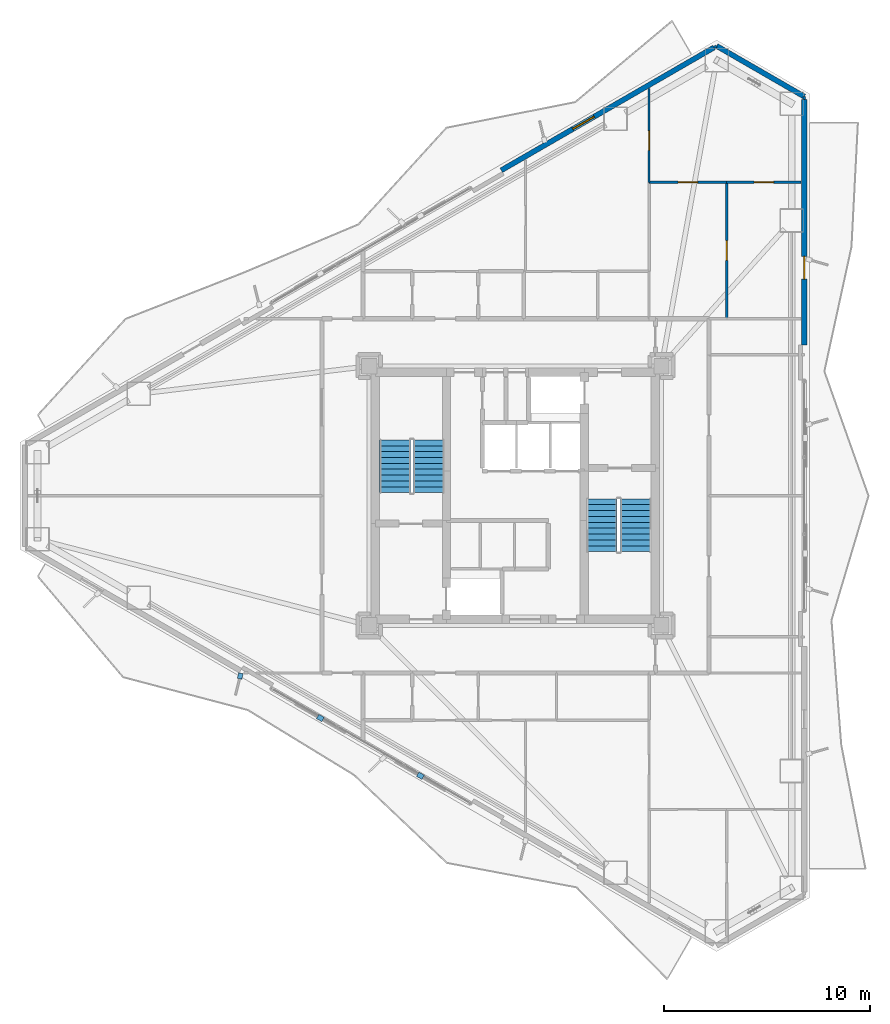
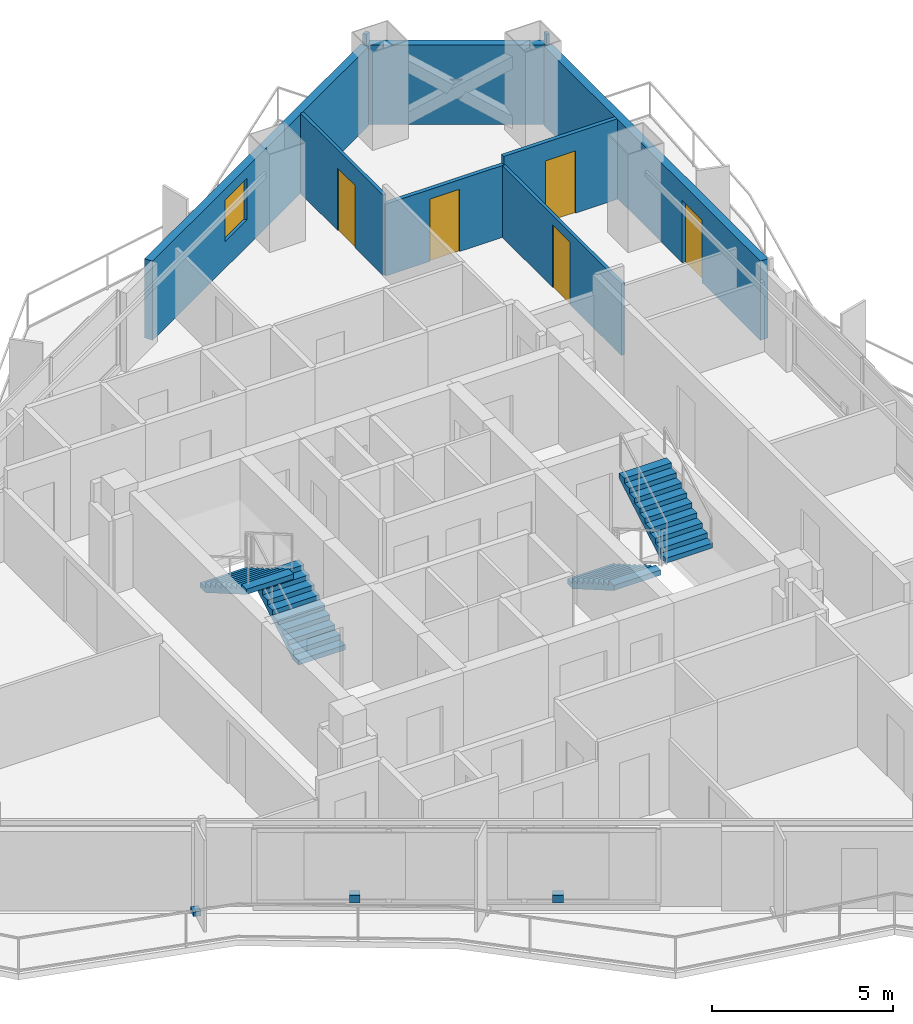
# One storey, part 19 of 22: 9 walls, 5 doors, 4 stair flights, 3 discrete accessories, 1 window, 6 openings, 2 elements without a shape of their own.
"""IFC4 building model written with IfcOpenShell, lengths in metres."""

from ifc_helpers import new_model, si_unit, direction, frame, frame_2d, origin, origin_2d, place, context, subcontext, project, spatial, polyline, rectangle, outline, extrude, material, layer, layer_set, type_object, element, fill, aggregate, save


model = new_model("IFC4")

# Units and contexts
model_context = context("Model", 3, precision=1e-05, world=origin(), true_north=direction((0.0, 1.0)))
body_context = subcontext(model_context, "Body", "Model", "MODEL_VIEW")
ifc_project = project(units=[si_unit("LENGTHUNIT", "METRE"), si_unit("AREAUNIT", "SQUARE_METRE"), si_unit("VOLUMEUNIT", "CUBIC_METRE"), si_unit("PLANEANGLEUNIT", "RADIAN"), si_unit("MASSUNIT", "GRAM", prefix="KILO")], contexts=[model_context])

# Site, building, storey
site_placement = place(None, origin())
site = spatial("IfcSite", under=ifc_project, at=site_placement, CompositionType="ELEMENT")
building_placement = place(site_placement, origin())
building = spatial("IfcBuilding", under=site, at=building_placement, Name="Mersakhor Tower and Convention Hall", CompositionType="ELEMENT")
storey_placement = place(building_placement, frame((0.0, 0.0, 109.800048828125)))
storey = spatial("IfcBuildingStorey", under=building, at=storey_placement, Name="L30", CompositionType="ELEMENT", Elevation=109.800048828125)

# Wall
ifc_material_1 = material(Name="Precast concrete C40/50", Category="concrete")
ifc_layer_1 = layer(ifc_material_1, 0.25)
ifc_layer_set_1 = layer_set([ifc_layer_1], Name="Precast concrete C40/50")
wall_type_1 = type_object("IfcWallType", Name="WL-EXT-250", PredefinedType="SOLIDWALL", material=ifc_layer_set_1)
wall_1_placement = place(storey_placement, frame((38.77880859375, 48.6015625, 0.0), z_axis=(0.0, 0.0, 1.0), x_axis=(0.866011848704, -0.500023477353, 0.0)))
element("IfcWall", 1, at=wall_1_placement, inside=storey, type_object=wall_type_1, Name="L30 Chamfer Braced Spandrel Wall C1", PredefinedType="SOLIDWALL", context=body_context, shape_type="SweptSolid", body=[
    extrude(rectangle(XDim=4.914306640625, YDim=0.25, at=frame_2d((2.45703125, 0.0))), origin(), (0.0, 0.0, 1.0), 2.669921875),
])

# Wall, opening, window
wall_2_placement = place(storey_placement, frame((28.3173828125, 42.561767578125, 0.0), z_axis=(0.0, 0.0, 1.0), x_axis=(0.866023023012, 0.500004123596, 0.0)))
wall_2 = element("IfcWall", 2, at=wall_2_placement, inside=storey, type_object=wall_type_1, Name="L30 Exterior Facade Wall F1-B3", PredefinedType="SOLIDWALL", context=body_context, shape_type="SweptSolid", body=[
    extrude(rectangle(XDim=11.9296875, YDim=0.25, at=frame_2d((5.96484375, 0.0))), origin(), (0.0, 0.0, 1.0), 2.669921875),
])
opening_1_placement = place(wall_2_placement, frame((4.010986328125, 0.0, 0.89990234375)))
opening_1 = element("IfcOpeningElement", 3, at=opening_1_placement, cuts=wall_2, Name="Opening W-01", PredefinedType="OPENING", context=body_context, shape_type="SweptSolid", body=[
    extrude(rectangle(XDim=1.199951171875, YDim=1.39990234375, at=frame_2d((0.60009765625, 0.699951171875))), frame((0.0, 0.135009765625, 0.0), z_axis=(0.0, -1.0, 0.0), x_axis=(1.0, 0.0, 0.0)), (0.0, 0.0, 1.0), 0.27001953125),
])
ifc_material_2 = material(Name="Dark solar low-E glazed aluminium window", Category="aluminium")
window_type = type_object("IfcWindowType", Name="WN-RES-120x150", PartitioningType="SINGLE_PANEL", PredefinedType="WINDOW", material=ifc_material_2)
window_placement = place(opening_1_placement, origin())
window = element("IfcWindow", 4, at=window_placement, inside=storey, type_object=window_type, Name="L30 Bedroom Facade Window F1-B3-1", OverallHeight=1.39990234375, OverallWidth=1.199951171875, PartitioningType="SINGLE_PANEL", PredefinedType="WINDOW", context=body_context, shape_type="SweptSolid", body=[
    extrude(rectangle(XDim=1.199951171875, YDim=1.39990234375, at=frame_2d((0.60009765625, 0.699951171875))), frame((0.0, 0.030029296875, 0.0), z_axis=(0.0, -1.0, 0.0), x_axis=(1.0, 0.0, 0.0)), (0.0, 0.0, 1.0), 0.06005859375),
])
fill(opening_1, window)

# Wall, opening, door
wall_3_placement = place(storey_placement, frame((43.03466796875, 45.994384765625, 0.0), z_axis=(0.0, 0.0, 1.0), x_axis=(0.0, -1.0, 0.0)))
wall_3 = element("IfcWall", 5, at=wall_3_placement, inside=storey, type_object=wall_type_1, Name="L30 Exterior Facade Wall F2-B1", PredefinedType="SOLIDWALL", context=body_context, shape_type="SweptSolid", body=[
    extrude(rectangle(XDim=11.9296875, YDim=0.25, at=frame_2d((5.96484375, 0.0))), origin(), (0.0, 0.0, 1.0), 2.669921875),
])
opening_2_placement = place(wall_3_placement, frame((7.615966796875, 0.0, 0.0)))
opening_2 = element("IfcOpeningElement", 6, at=opening_2_placement, cuts=wall_3, Name="Opening BD-02", PredefinedType="OPENING", context=body_context, shape_type="SweptSolid", body=[
    extrude(rectangle(XDim=1.10009765625, YDim=2.10009765625, at=frame_2d((0.550048828125, 1.050048828125))), frame((0.0, 0.135009765625, 0.0), z_axis=(0.0, -1.0, 0.0), x_axis=(1.0, 0.0, 0.0)), (0.0, 0.0, 1.0), 0.27001953125),
])
ifc_material_3 = material(Name="Thermally broken dark aluminium and safety glass", Category="aluminium")
door_type_1 = type_object("IfcDoorType", Name="DR-BAL-110x210", OperationType="NOTDEFINED", PredefinedType="DOOR", material=ifc_material_3)
door_1_placement = place(opening_2_placement, origin())
door_1 = element("IfcDoor", 7, at=door_1_placement, inside=storey, type_object=door_type_1, Name="L30 Balcony Terrace Door F2-B1", OperationType="SINGLE_SWING_RIGHT", OverallHeight=2.10009765625, OverallWidth=1.10009765625, PredefinedType="DOOR", context=body_context, shape_type="SweptSolid", body=[
    extrude(rectangle(XDim=1.10009765625, YDim=2.10009765625, at=frame_2d((0.550048828125, 1.050048828125))), frame((0.0, 0.02490234375, 0.0), z_axis=(0.0, -1.0, 0.0), x_axis=(1.0, 0.0, 0.0)), (0.0, 0.0, 1.0), 0.050048828125),
])
fill(opening_2, door_1)

ifc_material_4 = material(Name="Lightweight gypsum partition", Category="other")
ifc_layer_2 = layer(ifc_material_4, 0.10009765625)
ifc_layer_set_2 = layer_set([ifc_layer_2], Name="Lightweight gypsum partition")
wall_type_2 = type_object("IfcWallType", Name="WL-PRT-100", PredefinedType="PARTITIONING", material=ifc_layer_set_2)
wall_4_placement = place(storey_placement, frame((35.5, 46.53662109375, 0.0), z_axis=(0.0, 0.0, 1.0), x_axis=(0.0, -1.0, 0.0)))
wall_4 = element("IfcWall", 8, at=wall_4_placement, inside=storey, type_object=wall_type_2, Name="L30 Interior Partition Wall P-092", PredefinedType="PARTITIONING", context=body_context, shape_type="SweptSolid", body=[
    extrude(rectangle(XDim=4.556640625, YDim=0.10009765625, at=frame_2d((2.2783203125, 0.0))), origin(), (0.0, 0.0, 1.0), 2.71435546875),
])
opening_3_placement = place(wall_4_placement, frame((2.061767578125, 0.0, 0.0)))
opening_3 = element("IfcOpeningElement", 9, at=opening_3_placement, cuts=wall_4, Name="Opening RD-01", PredefinedType="OPENING", context=body_context, shape_type="SweptSolid", body=[
    extrude(rectangle(XDim=0.949951171875, YDim=2.10009765625, at=frame_2d((0.47509765625, 1.050048828125))), frame((0.0, 0.06005859375, 0.0), z_axis=(0.0, -1.0, 0.0), x_axis=(1.0, 0.0, 0.0)), (0.0, 0.0, 1.0), 0.1201171875),
])
ifc_material_5 = material(Name="Solid-core hardwood leaf in painted steel frame", Category="steel")
door_type_2 = type_object("IfcDoorType", Name="DR-INT-RM-095x210", OperationType="NOTDEFINED", PredefinedType="DOOR", material=ifc_material_5)
door_2_placement = place(opening_3_placement, origin())
door_2 = element("IfcDoor", 10, at=door_2_placement, inside=storey, type_object=door_type_2, Name="L30 L30 Flat N1 Master Bedroom to L30 Flat N1 Dining Room Door", OperationType="SINGLE_SWING_LEFT", OverallHeight=2.10009765625, OverallWidth=0.949951171875, PredefinedType="DOOR", context=body_context, shape_type="SweptSolid", body=[
    extrude(rectangle(XDim=0.949951171875, YDim=2.10009765625, at=frame_2d((0.47509765625, 1.050048828125))), frame((0.0, 0.02490234375, 0.0), z_axis=(0.0, -1.0, 0.0), x_axis=(1.0, 0.0, 0.0)), (0.0, 0.0, 1.0), 0.050048828125),
])
fill(opening_3, door_2)

wall_5_placement = place(storey_placement, frame((39.27001953125, 41.97998046875, 0.0), z_axis=(0.0, 0.0, 1.0), x_axis=(0.0, -1.0, 0.0)))
wall_5 = element("IfcWall", 11, at=wall_5_placement, inside=storey, type_object=wall_type_2, Name="L30 Interior Partition Wall P-096", PredefinedType="PARTITIONING", context=body_context, shape_type="SweptSolid", body=[
    extrude(rectangle(XDim=6.6298828125, YDim=0.10009765625, at=frame_2d((3.31494140625, 0.0))), origin(), (0.0, 0.0, 1.0), 2.4228515625),
])
opening_4_placement = place(wall_5_placement, frame((2.840087890625, 0.0, 0.0)))
opening_4 = element("IfcOpeningElement", 12, at=opening_4_placement, cuts=wall_5, Name="Opening RD-01", PredefinedType="OPENING", context=body_context, shape_type="SweptSolid", body=[
    extrude(rectangle(XDim=0.949951171875, YDim=2.10009765625, at=frame_2d((0.47509765625, 1.050048828125))), frame((0.0, 0.06005859375, 0.0), z_axis=(0.0, -1.0, 0.0), x_axis=(1.0, 0.0, 0.0)), (0.0, 0.0, 1.0), 0.1201171875),
])
door_3_placement = place(opening_4_placement, origin())
door_3 = element("IfcDoor", 13, at=door_3_placement, inside=storey, type_object=door_type_2, Name="L30 L30 Flat N1 Bedroom 2 to L30 Flat N1 Study Room Door", OperationType="SINGLE_SWING_RIGHT", OverallHeight=2.10009765625, OverallWidth=0.949951171875, PredefinedType="DOOR", context=body_context, shape_type="SweptSolid", body=[
    extrude(rectangle(XDim=0.949951171875, YDim=2.10009765625, at=frame_2d((0.47509765625, 1.050048828125))), frame((0.0, 0.02490234375, 0.0), z_axis=(0.0, -1.0, 0.0), x_axis=(1.0, 0.0, 0.0)), (0.0, 0.0, 1.0), 0.050048828125),
])
fill(opening_4, door_3)

# Wall
wall_6_placement = place(storey_placement, frame((43.034912109375, 46.14404296875, 0.0), z_axis=(0.0, 0.0, 1.0), x_axis=(0.0, -1.0, 0.0)))
element("IfcWall", 14, at=wall_6_placement, inside=storey, type_object=wall_type_2, Name="L30 Interior Partition Wall P-100", PredefinedType="PARTITIONING", context=body_context, shape_type="SweptSolid", body=[
    extrude(rectangle(XDim=0.149658203125, YDim=0.10009765625, at=frame_2d((0.07470703125, 0.0))), origin(), (0.0, 0.0, 1.0), 3.050048828125),
])

# Wall, opening, door
ifc_material_6 = material(Name="Gypsum board acoustic partition", Category="other")
ifc_layer_3 = layer(ifc_material_6, 0.125)
ifc_layer_set_3 = layer_set([ifc_layer_3], Name="Gypsum board acoustic partition")
wall_type_3 = type_object("IfcWallType", Name="WL-PRT-125", PredefinedType="PARTITIONING", material=ifc_layer_set_3)
wall_7_placement = place(storey_placement, frame((35.5, 41.97998046875, 0.0), z_axis=(0.0, 0.0, 1.0), x_axis=(1.0, 0.0, 0.0)))
wall_7 = element("IfcWall", 15, at=wall_7_placement, inside=storey, type_object=wall_type_3, Name="L30 Interior Partition Wall P-095", PredefinedType="PARTITIONING", context=body_context, shape_type="SweptSolid", body=[
    extrude(rectangle(XDim=3.77001953125, YDim=0.125, at=frame_2d((1.885009765625, 0.0))), origin(), (0.0, 0.0, 1.0), 2.4228515625),
])
opening_5_placement = place(wall_7_placement, frame((1.409912109375, 0.0, 0.0)))
opening_5 = element("IfcOpeningElement", 16, at=opening_5_placement, cuts=wall_7, Name="Opening RD-01", PredefinedType="OPENING", context=body_context, shape_type="SweptSolid", body=[
    extrude(rectangle(XDim=0.949951171875, YDim=2.10009765625, at=frame_2d((0.47509765625, 1.050048828125))), frame((0.0, 0.072509765625, 0.0), z_axis=(0.0, -1.0, 0.0), x_axis=(1.0, 0.0, 0.0)), (0.0, 0.0, 1.0), 0.14501953125),
])
door_4_placement = place(opening_5_placement, origin())
door_4 = element("IfcDoor", 17, at=door_4_placement, inside=storey, type_object=door_type_2, Name="L30 L30 Flat N1 Bedroom 2 to L30 Flat N1 Dining Room Door", OperationType="SINGLE_SWING_LEFT", OverallHeight=2.10009765625, OverallWidth=0.949951171875, PredefinedType="DOOR", context=body_context, shape_type="SweptSolid", body=[
    extrude(rectangle(XDim=0.949951171875, YDim=2.10009765625, at=frame_2d((0.47509765625, 1.050048828125))), frame((0.0, 0.02490234375, 0.0), z_axis=(0.0, -1.0, 0.0), x_axis=(1.0, 0.0, 0.0)), (0.0, 0.0, 1.0), 0.050048828125),
])
fill(opening_5, door_4)

wall_8_placement = place(storey_placement, frame((39.27001953125, 41.97998046875, 0.0), z_axis=(0.0, 0.0, 1.0), x_axis=(1.0, 0.0, 0.0)))
wall_8 = element("IfcWall", 18, at=wall_8_placement, inside=storey, type_object=wall_type_3, Name="L30 Interior Partition Wall P-099", PredefinedType="PARTITIONING", context=body_context, shape_type="SweptSolid", body=[
    extrude(rectangle(XDim=3.615478515625, YDim=0.125, at=frame_2d((1.8076171875, 0.0))), origin(), (0.0, 0.0, 1.0), 2.71435546875),
])
opening_6_placement = place(wall_8_placement, frame((1.332763671875, 0.0, 0.0)))
opening_6 = element("IfcOpeningElement", 19, at=opening_6_placement, cuts=wall_8, Name="Opening RD-01", PredefinedType="OPENING", context=body_context, shape_type="SweptSolid", body=[
    extrude(rectangle(XDim=0.949951171875, YDim=2.10009765625, at=frame_2d((0.47509765625, 1.050048828125))), frame((0.0, 0.072509765625, 0.0), z_axis=(0.0, -1.0, 0.0), x_axis=(1.0, 0.0, 0.0)), (0.0, 0.0, 1.0), 0.14501953125),
])
door_5_placement = place(opening_6_placement, origin())
door_5 = element("IfcDoor", 20, at=door_5_placement, inside=storey, type_object=door_type_2, Name="L30 L30 Flat N1 Study Room to L30 Flat N1 Dining Room Door", OperationType="SINGLE_SWING_RIGHT", OverallHeight=2.10009765625, OverallWidth=0.949951171875, PredefinedType="DOOR", context=body_context, shape_type="SweptSolid", body=[
    extrude(rectangle(XDim=0.949951171875, YDim=2.10009765625, at=frame_2d((0.47509765625, 1.050048828125))), frame((0.0, 0.02490234375, 0.0), z_axis=(0.0, -1.0, 0.0), x_axis=(1.0, 0.0, 0.0)), (0.0, 0.0, 1.0), 0.050048828125),
])
fill(opening_6, door_5)

# Wall
wall_9_placement = place(storey_placement, frame((38.648681640625, 48.52685546875, 0.0), z_axis=(0.0, 0.0, 1.0), x_axis=(0.866239593359, 0.499628829129, 0.0)))
element("IfcWall", 21, at=wall_9_placement, inside=storey, type_object=wall_type_3, Name="L30 Interior Partition Wall P-101", PredefinedType="PARTITIONING", context=body_context, shape_type="SweptSolid", body=[
    extrude(rectangle(XDim=0.150390625, YDim=0.125, at=frame_2d((0.0751953125, 0.0))), origin(), (0.0, 0.0, 1.0), 3.050048828125),
])

# Stair, stair flights
ifc_material_7 = material(Name="Concrete C45/55", Category="concrete")
stair_type = type_object("IfcStairType", Name="ST-TWR-20R", PredefinedType="HALF_TURN_STAIR", material=ifc_material_7)
stair_1_placement = place(storey_placement, origin())
stair_1 = element("IfcStair", 22, at=stair_1_placement, inside=storey, type_object=stair_type, Name="L30 Tower Protected Exit Stair ST-1", PredefinedType="HALF_TURN_STAIR")
ifc_material_8 = material(Name="Concrete C45/55", Category="concrete")
stair_flight_type = type_object("IfcStairFlightType", Name="SFL-TWR-20R", PredefinedType="STRAIGHT", material=ifc_material_8)
stair_flight_1_placement = place(storey_placement, frame((24.800048828125, 26.89990234375, 0.0), z_axis=(0.0, 0.0, 1.0), x_axis=(0.0, 1.0, 0.0)))
stair_flight_1 = element("IfcStairFlight", 23, at=stair_flight_1_placement, type_object=stair_flight_type, Name="ST-1 flight 1", NumberOfRisers=10, NumberOfTreads=9, PredefinedType="STRAIGHT", RiserHeight=0.165, TreadLength=0.285, context=body_context, shape_type="SweptSolid", body=[
    extrude(outline(polyline([(0.0, 0.0), (0.0, 0.1650390625), (0.284912109375, 0.1650390625), (0.284912109375, 0.330078125), (0.570068359375, 0.330078125), (0.570068359375, 0.4951171875), (0.85498046875, 0.4951171875), (0.85498046875, 0.659912109375), (1.139892578125, 0.659912109375), (1.139892578125, 0.824951171875), (1.425048828125, 0.824951171875), (1.425048828125, 0.989990234375), (1.7099609375, 0.989990234375), (1.7099609375, 1.155029296875), (1.9951171875, 1.155029296875), (1.9951171875, 1.320068359375), (2.280029296875, 1.320068359375), (2.280029296875, 1.485107421875), (2.56494140625, 1.485107421875), (2.56494140625, 1.64990234375), (2.56494140625, 1.311767578125), (0.299072265625, 0.0), (0.0, 0.0)])), frame((0.0, 0.75, 0.0), z_axis=(0.0, -1.0, 0.0), x_axis=(1.0, 0.0, 0.0)), (0.0, 0.0, 1.0), 1.5),
])
stair_flight_2_placement = place(storey_placement, frame((23.14990234375, 29.465087890625, 1.64990234375), z_axis=(0.0, 0.0, 1.0), x_axis=(0.0, -1.0, 0.0)))
stair_flight_2 = element("IfcStairFlight", 24, at=stair_flight_2_placement, type_object=stair_flight_type, Name="ST-1 flight 2", NumberOfRisers=10, NumberOfTreads=9, PredefinedType="STRAIGHT", RiserHeight=0.165, TreadLength=0.285, context=body_context, shape_type="SweptSolid", body=[
    extrude(outline(polyline([(0.0, 0.0), (0.0, 0.1650390625), (0.284912109375, 0.1650390625), (0.284912109375, 0.330078125), (0.570068359375, 0.330078125), (0.570068359375, 0.4951171875), (0.85498046875, 0.4951171875), (0.85498046875, 0.659912109375), (1.139892578125, 0.659912109375), (1.139892578125, 0.824951171875), (1.425048828125, 0.824951171875), (1.425048828125, 0.989990234375), (1.7099609375, 0.989990234375), (1.7099609375, 1.155029296875), (1.9951171875, 1.155029296875), (1.9951171875, 1.320068359375), (2.280029296875, 1.320068359375), (2.280029296875, 1.485107421875), (2.56494140625, 1.485107421875), (2.56494140625, 1.64990234375), (2.56494140625, 1.311767578125), (0.299072265625, 0.0), (0.0, 0.0)])), frame((0.0, 0.75, 0.0), z_axis=(0.0, -1.0, 0.0), x_axis=(1.0, 0.0, 0.0)), (0.0, 0.0, 1.0), 1.5),
])
aggregate(stair_1, [stair_flight_1, stair_flight_2])

stair_2_placement = place(storey_placement, origin())
stair_2 = element("IfcStair", 25, at=stair_2_placement, inside=storey, type_object=stair_type, Name="L30 Tower Protected Exit Stair ST-2", PredefinedType="HALF_TURN_STAIR")
stair_flight_3_placement = place(storey_placement, frame((33.199951171875, 26.60009765625, 0.0), z_axis=(0.0, 0.0, 1.0), x_axis=(0.0, -1.0, 0.0)))
stair_flight_3 = element("IfcStairFlight", 26, at=stair_flight_3_placement, type_object=stair_flight_type, Name="ST-2 flight 1", NumberOfRisers=10, NumberOfTreads=9, PredefinedType="STRAIGHT", RiserHeight=0.165, TreadLength=0.285, context=body_context, shape_type="SweptSolid", body=[
    extrude(outline(polyline([(0.0, 0.0), (0.0, 0.1650390625), (0.284912109375, 0.1650390625), (0.284912109375, 0.330078125), (0.570068359375, 0.330078125), (0.570068359375, 0.4951171875), (0.85498046875, 0.4951171875), (0.85498046875, 0.659912109375), (1.139892578125, 0.659912109375), (1.139892578125, 0.824951171875), (1.425048828125, 0.824951171875), (1.425048828125, 0.989990234375), (1.7099609375, 0.989990234375), (1.7099609375, 1.155029296875), (1.9951171875, 1.155029296875), (1.9951171875, 1.320068359375), (2.280029296875, 1.320068359375), (2.280029296875, 1.485107421875), (2.56494140625, 1.485107421875), (2.56494140625, 1.64990234375), (2.56494140625, 1.311767578125), (0.299072265625, 0.0), (0.0, 0.0)])), frame((0.0, 0.75, 0.0), z_axis=(0.0, -1.0, 0.0), x_axis=(1.0, 0.0, 0.0)), (0.0, 0.0, 1.0), 1.5),
])
stair_flight_4_placement = place(storey_placement, frame((34.85009765625, 24.034912109375, 1.64990234375), z_axis=(0.0, 0.0, 1.0), x_axis=(0.0, 1.0, 0.0)))
stair_flight_4 = element("IfcStairFlight", 27, at=stair_flight_4_placement, type_object=stair_flight_type, Name="ST-2 flight 2", NumberOfRisers=10, NumberOfTreads=9, PredefinedType="STRAIGHT", RiserHeight=0.165, TreadLength=0.285, context=body_context, shape_type="SweptSolid", body=[
    extrude(outline(polyline([(0.0, 0.0), (0.0, 0.1650390625), (0.284912109375, 0.1650390625), (0.284912109375, 0.330078125), (0.570068359375, 0.330078125), (0.570068359375, 0.4951171875), (0.85498046875, 0.4951171875), (0.85498046875, 0.659912109375), (1.139892578125, 0.659912109375), (1.139892578125, 0.824951171875), (1.425048828125, 0.824951171875), (1.425048828125, 0.989990234375), (1.7099609375, 0.989990234375), (1.7099609375, 1.155029296875), (1.9951171875, 1.155029296875), (1.9951171875, 1.320068359375), (2.280029296875, 1.320068359375), (2.280029296875, 1.485107421875), (2.56494140625, 1.485107421875), (2.56494140625, 1.64990234375), (2.56494140625, 1.311767578125), (0.299072265625, 0.0), (0.0, 0.0)])), frame((0.0, 0.75, 0.0), z_axis=(0.0, -1.0, 0.0), x_axis=(1.0, 0.0, 0.0)), (0.0, 0.0, 1.0), 1.5),
])
aggregate(stair_2, [stair_flight_3, stair_flight_4])

# Discrete accessories
ifc_material_9 = material(Name="Galvanised steel bracket", Category="steel")
ifc_layer_4 = layer(ifc_material_9, 0.02001953125)
ifc_layer_set_4 = layer_set([ifc_layer_4], Name="Galvanised steel bracket")
discrete_accessory_type = type_object("IfcDiscreteAccessoryType", Name="ACC-BRK-STL", PredefinedType="BRACKET", material=ifc_layer_set_4)
for number, where, z_axis, x_axis, name in (
    (28, (24.388916015625, 13.148681640625, 0.2900390625), (0.0, 0.0, 1.0), (-0.866025403784, 0.5, 0.0), "L30 Solar Screen Outrigger Bracket BRK-3-1"),
    (29, (19.526611328125, 15.9560546875, 0.2900390625), (0.0, 0.0, 1.0), (-0.866025403784, 0.5, 0.0), "L30 Solar Screen Outrigger Bracket BRK-3-2"),
):
    element("IfcDiscreteAccessory", number, at=place(storey_placement, frame(where, z_axis=z_axis, x_axis=x_axis)), inside=storey, type_object=discrete_accessory_type, Name=name, PredefinedType="BRACKET", context=body_context, shape_type="SweptSolid", body=[
        extrude(rectangle(XDim=0.300048828125, YDim=0.239990234375, at=origin_2d()), origin(), (0.0, 0.0, 1.0), 0.260009765625),
    ])
discrete_accessory_placement = place(storey_placement, frame((15.636962890625, 17.993896484375, -0.02001953125), z_axis=(0.0, 0.0, 1.0), x_axis=(-0.2419218956, -0.970295726276, 0.0)))
element("IfcDiscreteAccessory", 30, at=discrete_accessory_placement, inside=storey, type_object=discrete_accessory_type, Name="L30 Facade Fin Base Cleat Bracket FBRK-3-3", PredefinedType="BRACKET", context=body_context, shape_type="SweptSolid", body=[
    extrude(rectangle(XDim=0.280029296875, YDim=0.219970703125, at=origin_2d()), origin(), (0.0, 0.0, 1.0), 0.159912109375),
])

save(model, "model.ifc")
